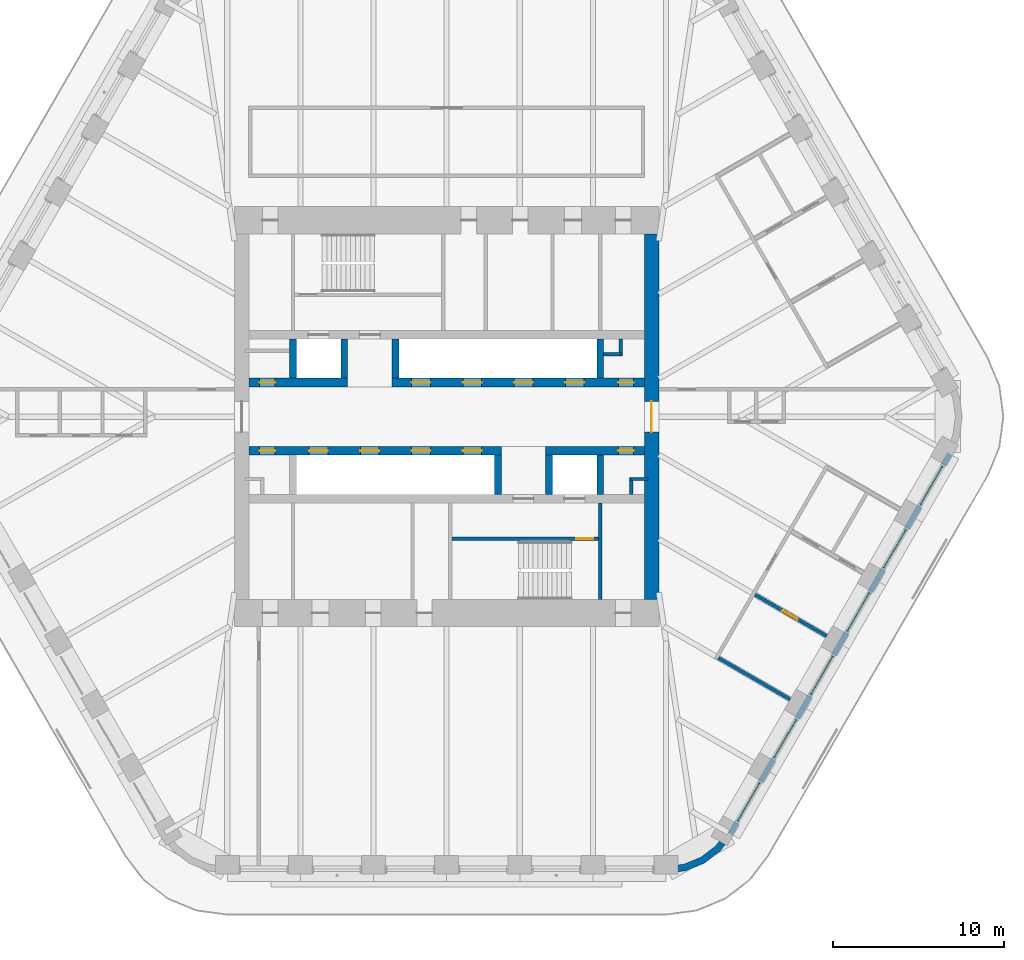
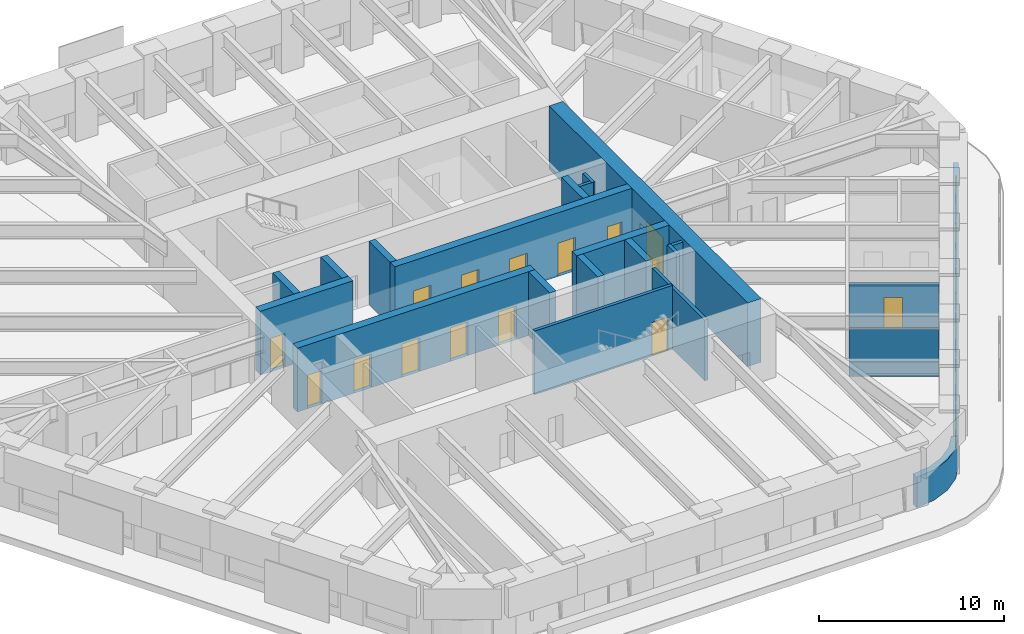
# One storey, part 14 of 18: 22 walls, 15 doors, 6 windows, 21 openings.
"""IFC4 building model written with IfcOpenShell, lengths in metres."""

from ifc_helpers import new_model, si_unit, direction, frame, frame_2d, origin, place, context, subcontext, project, spatial, polyline, rectangle, outline, extrude, material, layer, layer_set, type_object, element, fill, save


model = new_model("IFC4")

# Units and contexts
model_context = context("Model", 3, precision=1e-05, world=origin(), true_north=direction((0.0, 1.0)))
body_context = subcontext(model_context, "Body", "Model", "MODEL_VIEW")
ifc_project = project(units=[si_unit("LENGTHUNIT", "METRE"), si_unit("AREAUNIT", "SQUARE_METRE"), si_unit("VOLUMEUNIT", "CUBIC_METRE"), si_unit("PLANEANGLEUNIT", "RADIAN"), si_unit("MASSUNIT", "GRAM", prefix="KILO")], contexts=[model_context])

# Site, building, storey
site_placement = place(None, origin())
site = spatial("IfcSite", under=ifc_project, at=site_placement, CompositionType="ELEMENT")
building_placement = place(site_placement, origin())
building = spatial("IfcBuilding", under=site, at=building_placement, Name="Tarfa Lantern Tower", CompositionType="ELEMENT")
storey_placement = place(building_placement, frame((0.0, 0.0, 315.699951171875)))
storey = spatial("IfcBuildingStorey", under=building, at=storey_placement, Name="L71", CompositionType="ELEMENT", Elevation=315.699951171875)

# Wall, openings, windows
ifc_material_1 = material(Name="Limestone cladding on blockwork", Category="masonry")
ifc_layer_1 = layer(ifc_material_1, 0.300048828125)
ifc_layer_set_1 = layer_set([ifc_layer_1], Name="EW1 STONE-CLAD WALL 300")
wall_type_1 = type_object("IfcWallType", Name="EW1 STONE-CLAD WALL 300", PredefinedType="SOLIDWALL", material=ifc_layer_set_1)
wall_1_placement = place(storey_placement, frame((16.61328125, -24.425048828125, 0.0), z_axis=(0.0, 0.0, 1.0), x_axis=(0.499997191038, 0.866027025533, 0.0)))
wall_1 = element("IfcWall", 1, at=wall_1_placement, inside=storey, type_object=wall_type_1, Name="Stone wall SE", PredefinedType="SOLIDWALL", context=body_context, shape_type="SweptSolid", body=[
    extrude(rectangle(XDim=25.692138671875, YDim=0.300048828125, at=frame_2d((12.84619140625, 0.0))), origin(), (0.0, 0.0, 1.0), 2.0),
])
opening_1_placement = place(wall_1_placement, frame((0.865966796875, 0.0, 0.60009765625)))
opening_1 = element("IfcOpeningElement", 2, at=opening_1_placement, cuts=wall_1, Name="Opening W16", PredefinedType="OPENING", context=body_context, shape_type="SweptSolid", body=[
    extrude(rectangle(XDim=2.550048828125, YDim=1.14990234375, at=frame_2d((1.27490234375, 0.574951171875))), frame((0.0, 0.159912109375, 0.0), z_axis=(0.0, -1.0, 0.0), x_axis=(1.0, 0.0, 0.0)), (0.0, 0.0, 1.0), 0.320068359375),
])
opening_2_placement = place(wall_1_placement, frame((5.14794921875, 0.0, 0.60009765625)))
opening_2 = element("IfcOpeningElement", 3, at=opening_2_placement, cuts=wall_1, Name="Opening W16", PredefinedType="OPENING", context=body_context, shape_type="SweptSolid", body=[
    extrude(rectangle(XDim=2.550048828125, YDim=1.14990234375, at=frame_2d((1.27490234375, 0.574951171875))), frame((0.0, 0.159912109375, 0.0), z_axis=(0.0, -1.0, 0.0), x_axis=(1.0, 0.0, 0.0)), (0.0, 0.0, 1.0), 0.320068359375),
])
opening_3_placement = place(wall_1_placement, frame((9.429931640625, 0.0, 0.60009765625)))
opening_3 = element("IfcOpeningElement", 4, at=opening_3_placement, cuts=wall_1, Name="Opening W16", PredefinedType="OPENING", context=body_context, shape_type="SweptSolid", body=[
    extrude(rectangle(XDim=2.550048828125, YDim=1.14990234375, at=frame_2d((1.27490234375, 0.574951171875))), frame((0.0, 0.159912109375, 0.0), z_axis=(0.0, -1.0, 0.0), x_axis=(1.0, 0.0, 0.0)), (0.0, 0.0, 1.0), 0.320068359375),
])
opening_4_placement = place(wall_1_placement, frame((13.712158203125, 0.0, 0.60009765625)))
opening_4 = element("IfcOpeningElement", 5, at=opening_4_placement, cuts=wall_1, Name="Opening W16", PredefinedType="OPENING", context=body_context, shape_type="SweptSolid", body=[
    extrude(rectangle(XDim=2.550048828125, YDim=1.14990234375, at=frame_2d((1.27490234375, 0.574951171875))), frame((0.0, 0.159912109375, 0.0), z_axis=(0.0, -1.0, 0.0), x_axis=(1.0, 0.0, 0.0)), (0.0, 0.0, 1.0), 0.320068359375),
])
opening_5_placement = place(wall_1_placement, frame((17.994140625, 0.0, 0.60009765625)))
opening_5 = element("IfcOpeningElement", 6, at=opening_5_placement, cuts=wall_1, Name="Opening W16", PredefinedType="OPENING", context=body_context, shape_type="SweptSolid", body=[
    extrude(rectangle(XDim=2.550048828125, YDim=1.14990234375, at=frame_2d((1.27490234375, 0.574951171875))), frame((0.0, 0.159912109375, 0.0), z_axis=(0.0, -1.0, 0.0), x_axis=(1.0, 0.0, 0.0)), (0.0, 0.0, 1.0), 0.320068359375),
])
opening_6_placement = place(wall_1_placement, frame((22.276123046875, 0.0, 0.60009765625)))
opening_6 = element("IfcOpeningElement", 7, at=opening_6_placement, cuts=wall_1, Name="Opening W16", PredefinedType="OPENING", context=body_context, shape_type="SweptSolid", body=[
    extrude(rectangle(XDim=2.550048828125, YDim=1.14990234375, at=frame_2d((1.27490234375, 0.574951171875))), frame((0.0, 0.159912109375, 0.0), z_axis=(0.0, -1.0, 0.0), x_axis=(1.0, 0.0, 0.0)), (0.0, 0.0, 1.0), 0.320068359375),
])
ifc_material_2 = material(Name="Aluminium frame, double glazed", Category="aluminium")
window_type = type_object("IfcWindowType", Name="W16 FULL-HEIGHT GLAZING 2550x1150", PartitioningType="SINGLE_PANEL", PredefinedType="WINDOW", material=ifc_material_2)
window_1_placement = place(opening_1_placement, origin())
window_1 = element("IfcWindow", 8, at=window_1_placement, inside=storey, type_object=window_type, Name="Window SE 1", OverallHeight=1.14990234375, OverallWidth=2.550048828125, PartitioningType="SINGLE_PANEL", PredefinedType="WINDOW", context=body_context, shape_type="SweptSolid", body=[
    extrude(rectangle(XDim=2.550048828125, YDim=1.14990234375, at=frame_2d((1.27490234375, 0.574951171875))), frame((0.0, 0.030029296875, 0.0), z_axis=(0.0, -1.0, 0.0), x_axis=(1.0, 0.0, 0.0)), (0.0, 0.0, 1.0), 0.06005859375),
])
fill(opening_1, window_1)
window_2_placement = place(opening_2_placement, origin())
window_2 = element("IfcWindow", 9, at=window_2_placement, inside=storey, type_object=window_type, Name="Window SE 2", OverallHeight=1.14990234375, OverallWidth=2.550048828125, PartitioningType="SINGLE_PANEL", PredefinedType="WINDOW", context=body_context, shape_type="SweptSolid", body=[
    extrude(rectangle(XDim=2.550048828125, YDim=1.14990234375, at=frame_2d((1.27490234375, 0.574951171875))), frame((0.0, 0.030029296875, 0.0), z_axis=(0.0, -1.0, 0.0), x_axis=(1.0, 0.0, 0.0)), (0.0, 0.0, 1.0), 0.06005859375),
])
fill(opening_2, window_2)
window_3_placement = place(opening_3_placement, origin())
window_3 = element("IfcWindow", 10, at=window_3_placement, inside=storey, type_object=window_type, Name="Window SE 3", OverallHeight=1.14990234375, OverallWidth=2.550048828125, PartitioningType="SINGLE_PANEL", PredefinedType="WINDOW", context=body_context, shape_type="SweptSolid", body=[
    extrude(rectangle(XDim=2.550048828125, YDim=1.14990234375, at=frame_2d((1.27490234375, 0.574951171875))), frame((0.0, 0.030029296875, 0.0), z_axis=(0.0, -1.0, 0.0), x_axis=(1.0, 0.0, 0.0)), (0.0, 0.0, 1.0), 0.06005859375),
])
fill(opening_3, window_3)
window_4_placement = place(opening_4_placement, origin())
window_4 = element("IfcWindow", 11, at=window_4_placement, inside=storey, type_object=window_type, Name="Window SE 4", OverallHeight=1.14990234375, OverallWidth=2.550048828125, PartitioningType="SINGLE_PANEL", PredefinedType="WINDOW", context=body_context, shape_type="SweptSolid", body=[
    extrude(rectangle(XDim=2.550048828125, YDim=1.14990234375, at=frame_2d((1.27490234375, 0.574951171875))), frame((0.0, 0.030029296875, 0.0), z_axis=(0.0, -1.0, 0.0), x_axis=(1.0, 0.0, 0.0)), (0.0, 0.0, 1.0), 0.06005859375),
])
fill(opening_4, window_4)
window_5_placement = place(opening_5_placement, origin())
window_5 = element("IfcWindow", 12, at=window_5_placement, inside=storey, type_object=window_type, Name="Window SE 5", OverallHeight=1.14990234375, OverallWidth=2.550048828125, PartitioningType="SINGLE_PANEL", PredefinedType="WINDOW", context=body_context, shape_type="SweptSolid", body=[
    extrude(rectangle(XDim=2.550048828125, YDim=1.14990234375, at=frame_2d((1.27490234375, 0.574951171875))), frame((0.0, 0.030029296875, 0.0), z_axis=(0.0, -1.0, 0.0), x_axis=(1.0, 0.0, 0.0)), (0.0, 0.0, 1.0), 0.06005859375),
])
fill(opening_5, window_5)
window_6_placement = place(opening_6_placement, origin())
window_6 = element("IfcWindow", 13, at=window_6_placement, inside=storey, type_object=window_type, Name="Window SE 6", OverallHeight=1.14990234375, OverallWidth=2.550048828125, PartitioningType="SINGLE_PANEL", PredefinedType="WINDOW", context=body_context, shape_type="SweptSolid", body=[
    extrude(rectangle(XDim=2.550048828125, YDim=1.14990234375, at=frame_2d((1.27490234375, 0.574951171875))), frame((0.0, 0.030029296875, 0.0), z_axis=(0.0, -1.0, 0.0), x_axis=(1.0, 0.0, 0.0)), (0.0, 0.0, 1.0), 0.06005859375),
])
fill(opening_6, window_6)

# Walls
ifc_layer_2 = layer(ifc_material_1, 0.39990234375)
ifc_layer_set_2 = layer_set([ifc_layer_2], Name="EW2 CURVED STONE CORNER 400")
wall_type_2 = type_object("IfcWallType", Name="EW2 CURVED STONE CORNER 400", PredefinedType="SOLIDWALL", material=ifc_layer_set_2)
wall_2_placement = place(storey_placement, origin())
element("IfcWall", 14, at=wall_2_placement, inside=storey, type_object=wall_type_2, Name="Stone corner S-SE", PredefinedType="SOLIDWALL", context=body_context, shape_type="SweptSolid", body=[
    extrude(outline(polyline([(12.845947265625, -26.75), (14.0107421875, -26.5966796875), (15.095947265625, -26.147216796875), (16.028076171875, -25.431884765625), (16.7431640625, -24.5), (16.396728515625, -24.300048828125), (15.7451171875, -25.149169921875), (14.89599609375, -25.80078125), (13.9072265625, -26.210205078125), (12.845947265625, -26.35009765625), (12.845947265625, -26.75)])), origin(), (0.0, 0.0, 1.0), 2.0),
])
ifc_material_3 = material(Name="Concrete blockwork", Category="masonry")
ifc_layer_3 = layer(ifc_material_3, 0.199951171875)
ifc_layer_set_3 = layer_set([ifc_layer_3], Name="IW1 BLOCKWORK PARTITION 200 EI 120")
wall_type_3 = type_object("IfcWallType", Name="IW1 BLOCKWORK PARTITION 200 EI 120", PredefinedType="PARTITIONING", material=ifc_layer_set_3)
wall_3_placement = place(storey_placement, frame((9.0, -5.050048828125, 0.0), z_axis=(0.0, 0.0, 1.0), x_axis=(0.0, -1.0, 0.0)))
element("IfcWall", 15, at=wall_3_placement, inside=storey, type_object=wall_type_3, Name="Core partition", PredefinedType="PARTITIONING", context=body_context, shape_type="SweptSolid", body=[
    extrude(rectangle(XDim=5.64990234375, YDim=0.199951171875, at=frame_2d((2.824951171875, 0.0))), origin(), (0.0, 0.0, 1.0), 4.0),
])
for number, where, z_axis, x_axis, name in (
    (16, (9.199951171875, 3.64990234375, 0.0), (0.0, 0.0, 1.0), (1.0, 0.0, 0.0), "Core partition"),
    (17, (10.199951171875, 3.550048828125, 0.0), (0.0, 0.0, 1.0), (0.0, 1.0, 0.0), "Core partition"),
    (18, (11.800048828125, -3.64990234375, 0.0), (0.0, 0.0, 1.0), (-1.0, 0.0, 0.0), "Core partition"),
    (19, (10.800048828125, -3.550048828125, 0.0), (0.0, 0.0, 1.0), (0.0, -1.0, 0.0), "Core partition"),
):
    element("IfcWall", number, at=place(storey_placement, frame(where, z_axis=z_axis, x_axis=x_axis)), inside=storey, type_object=wall_type_3, Name=name, PredefinedType="PARTITIONING", context=body_context, shape_type="SweptSolid", body=[
        extrude(rectangle(XDim=1.0, YDim=0.199951171875, at=frame_2d((0.5, 0.0))), origin(), (0.0, 0.0, 1.0), 4.0),
    ])
ifc_material_4 = material(Name="Gypsum board on steel studs", Category="steel")
ifc_layer_4 = layer(ifc_material_4, 0.2099609375)
ifc_layer_set_4 = layer_set([ifc_layer_4], Name="IW2 ACOUSTIC PARTITION 200")
wall_type_4 = type_object("IfcWallType", Name="IW2 ACOUSTIC PARTITION 200", PredefinedType="PARTITIONING", material=ifc_layer_set_4)
wall_4_placement = place(storey_placement, frame((15.91552734375, -14.13330078125, 0.0), z_axis=(0.0, 0.0, 1.0), x_axis=(0.866032190624, -0.499988244665, 0.0)))
element("IfcWall", 20, at=wall_4_placement, inside=storey, type_object=wall_type_4, Name="Partition", PredefinedType="PARTITIONING", context=body_context, shape_type="SweptSolid", body=[
    extrude(rectangle(XDim=4.85009765625, YDim=0.199951171875, at=frame_2d((2.425048828125, 0.0))), origin(), (0.0, 0.0, 1.0), 3.08154296875),
])

# Wall, opening, door
wall_5_placement = place(storey_placement, frame((18.056640625, -10.425048828125, 0.0), z_axis=(0.0, 0.0, 1.0), x_axis=(0.866019606374, -0.500010041276, 0.0)))
wall_5 = element("IfcWall", 21, at=wall_5_placement, inside=storey, type_object=wall_type_4, Name="Partition", PredefinedType="PARTITIONING", context=body_context, shape_type="SweptSolid", body=[
    extrude(rectangle(XDim=4.85009765625, YDim=0.199951171875, at=frame_2d((2.425048828125, 0.0))), origin(), (0.0, 0.0, 1.0), 3.08154296875),
])
opening_7_placement = place(wall_5_placement, frame((1.875, 0.0, 0.0)))
opening_7 = element("IfcOpeningElement", 22, at=opening_7_placement, cuts=wall_5, Name="Opening D25", PredefinedType="OPENING", context=body_context, shape_type="SweptSolid", body=[
    extrude(rectangle(XDim=1.0, YDim=2.199951171875, at=frame_2d((0.5, 1.10009765625))), frame((0.0, 0.10986328125, 0.0), z_axis=(0.0, -1.0, 0.0), x_axis=(1.0, 0.0, 0.0)), (0.0, 0.0, 1.0), 0.219970703125),
])
ifc_material_5 = material(Name="Timber door", Category="wood")
door_type_1 = type_object("IfcDoorType", Name="DR1 ROOM DOOR 1000x2200", OperationType="SINGLE_SWING_LEFT", PredefinedType="DOOR", material=ifc_material_5)
door_1_placement = place(opening_7_placement, frame((1.0, 0.0, 0.0), z_axis=(0.0, 0.0, 1.0), x_axis=(-1.0, 0.0, 0.0)))
door_1 = element("IfcDoor", 23, at=door_1_placement, inside=storey, type_object=door_type_1, Name="Executive office door", OperationType="SINGLE_SWING_LEFT", OverallHeight=2.199951171875, OverallWidth=1.0, PredefinedType="DOOR", context=body_context, shape_type="SweptSolid", body=[
    extrude(rectangle(XDim=1.0, YDim=2.199951171875, at=frame_2d((0.5, 1.10009765625))), frame((0.0, 0.02490234375, 0.0), z_axis=(0.0, -1.0, 0.0), x_axis=(1.0, 0.0, 0.0)), (0.0, 0.0, 1.0), 0.050048828125),
])
fill(opening_7, door_1)

ifc_material_6 = material(Name="Concrete C80/95", Category="concrete")
ifc_layer_5 = layer(ifc_material_6, 0.199951171875)
ifc_layer_set_5 = layer_set([ifc_layer_5], Name="SW12 CORE WALL 200")
wall_type_5 = type_object("IfcWallType", Name="SW12 CORE WALL 200", PredefinedType="SHEAR", material=ifc_layer_set_5)
wall_6_placement = place(storey_placement, frame((8.89990234375, -7.14990234375, 0.0), z_axis=(0.0, 0.0, 1.0), x_axis=(-1.0, 0.0, 0.0)))
wall_6 = element("IfcWall", 24, at=wall_6_placement, inside=storey, type_object=wall_type_5, Name="Core wall stair partition S", PredefinedType="SHEAR", context=body_context, shape_type="SweptSolid", body=[
    extrude(rectangle(XDim=8.599853515625, YDim=0.199951171875, at=frame_2d((4.2998046875, 0.0))), origin(), (0.0, 0.0, 1.0), 4.199951171875),
])
opening_8_placement = place(wall_6_placement, frame((0.300048828125, 0.0, 0.0)))
opening_8 = element("IfcOpeningElement", 25, at=opening_8_placement, cuts=wall_6, Name="Opening D20", PredefinedType="OPENING", context=body_context, shape_type="SweptSolid", body=[
    extrude(rectangle(XDim=1.0, YDim=2.199951171875, at=frame_2d((0.5, 1.10009765625))), frame((0.0, 0.10986328125, 0.0), z_axis=(0.0, -1.0, 0.0), x_axis=(1.0, 0.0, 0.0)), (0.0, 0.0, 1.0), 0.219970703125),
])
ifc_material_7 = material(Name="Steel fire door", Category="steel")
door_type_2 = type_object("IfcDoorType", Name="DF2 STAIR DOOR 1000x2200", OperationType="SINGLE_SWING_LEFT", PredefinedType="DOOR", material=ifc_material_7)
door_2_placement = place(opening_8_placement, origin())
door_2 = element("IfcDoor", 26, at=door_2_placement, inside=storey, type_object=door_type_2, Name="Stair door", OperationType="SINGLE_SWING_RIGHT", OverallHeight=2.199951171875, OverallWidth=1.0, PredefinedType="DOOR", context=body_context, shape_type="SweptSolid", body=[
    extrude(rectangle(XDim=1.0, YDim=2.199951171875, at=frame_2d((0.5, 1.10009765625))), frame((0.0, 0.02490234375, 0.0), z_axis=(0.0, -1.0, 0.0), x_axis=(1.0, 0.0, 0.0)), (0.0, 0.0, 1.0), 0.050048828125),
])
fill(opening_8, door_2)

ifc_layer_6 = layer(ifc_material_6, 0.85009765625)
ifc_layer_set_6 = layer_set([ifc_layer_6], Name="SW3 CORE WALL 850")
wall_type_6 = type_object("IfcWallType", Name="SW3 CORE WALL 850", PredefinedType="SHEAR", material=ifc_layer_set_6)
wall_7_placement = place(storey_placement, frame((12.0, -10.699951171875, 0.0), z_axis=(0.0, 0.0, 1.0), x_axis=(0.0, 1.0, 0.0)))
wall_7 = element("IfcWall", 27, at=wall_7_placement, inside=storey, type_object=wall_type_6, Name="Core wall E", PredefinedType="SHEAR", context=body_context, shape_type="SweptSolid", body=[
    extrude(rectangle(XDim=21.39990234375, YDim=0.85009765625, at=frame_2d((10.699951171875, 0.0))), origin(), (0.0, 0.0, 1.0), 4.199951171875),
])
opening_9_placement = place(wall_7_placement, frame((9.800048828125, 0.0, 0.0)))
opening_9 = element("IfcOpeningElement", 28, at=opening_9_placement, cuts=wall_7, Name="Opening D07", PredefinedType="OPENING", context=body_context, shape_type="SweptSolid", body=[
    extrude(rectangle(XDim=1.800048828125, YDim=2.39990234375, at=frame_2d((0.89990234375, 1.199951171875))), frame((0.0, 0.43505859375, 0.0), z_axis=(0.0, -1.0, 0.0), x_axis=(1.0, 0.0, 0.0)), (0.0, 0.0, 1.0), 0.8701171875),
])
door_type_3 = type_object("IfcDoorType", Name="DL1 LOBBY DOOR 1800x2400", OperationType="DOUBLE_DOOR_SINGLE_SWING", PredefinedType="DOOR", material=ifc_material_7)
door_3_placement = place(opening_9_placement, frame((1.800048828125, 0.0, 0.0), z_axis=(0.0, 0.0, 1.0), x_axis=(-1.0, 0.0, 0.0)))
door_3 = element("IfcDoor", 29, at=door_3_placement, inside=storey, type_object=door_type_3, Name="Lift lobby door", OperationType="DOUBLE_DOOR_SINGLE_SWING", OverallHeight=2.39990234375, OverallWidth=1.800048828125, PredefinedType="DOOR", context=body_context, shape_type="SweptSolid", body=[
    extrude(rectangle(XDim=1.800048828125, YDim=2.39990234375, at=frame_2d((0.89990234375, 1.199951171875))), frame((0.0, 0.02490234375, 0.0), z_axis=(0.0, -1.0, 0.0), x_axis=(1.0, 0.0, 0.0)), (0.0, 0.0, 1.0), 0.050048828125),
])
fill(opening_9, door_3)

ifc_layer_7 = layer(ifc_material_6, 0.5)
ifc_layer_set_7 = layer_set([ifc_layer_7], Name="SW5 CORE WALL 500")
wall_type_7 = type_object("IfcWallType", Name="SW5 CORE WALL 500", PredefinedType="SHEAR", material=ifc_layer_set_7)
wall_8_placement = place(storey_placement, frame((-11.574951171875, 2.0, 0.0), z_axis=(0.0, 0.0, 1.0), x_axis=(1.0, 0.0, 0.0)))
wall_8 = element("IfcWall", 30, at=wall_8_placement, inside=storey, type_object=wall_type_7, Name="Core wall lobby west N", PredefinedType="SHEAR", context=body_context, shape_type="SweptSolid", body=[
    extrude(rectangle(XDim=5.77490234375, YDim=0.5, at=frame_2d((2.887451171875, 0.0))), origin(), (0.0, 0.0, 1.0), 4.199951171875),
])
opening_10_placement = place(wall_8_placement, frame((0.625, 0.0, 0.0)))
opening_10 = element("IfcOpeningElement", 31, at=opening_10_placement, cuts=wall_8, Name="Opening D11", PredefinedType="OPENING", context=body_context, shape_type="SweptSolid", body=[
    extrude(rectangle(XDim=0.89990234375, YDim=2.199951171875, at=frame_2d((0.449951171875, 1.10009765625))), frame((0.0, 0.260009765625, 0.0), z_axis=(0.0, -1.0, 0.0), x_axis=(1.0, 0.0, 0.0)), (0.0, 0.0, 1.0), 0.52001953125),
])
door_type_4 = type_object("IfcDoorType", Name="DF6 SERVICE ROOM DOOR 900x2200", OperationType="SINGLE_SWING_LEFT", PredefinedType="DOOR", material=ifc_material_7)
door_4_placement = place(opening_10_placement, origin())
door_4 = element("IfcDoor", 32, at=door_4_placement, inside=storey, type_object=door_type_4, Name="Service room door", OperationType="SINGLE_SWING_RIGHT", OverallHeight=2.199951171875, OverallWidth=0.89990234375, PredefinedType="DOOR", context=body_context, shape_type="SweptSolid", body=[
    extrude(rectangle(XDim=0.89990234375, YDim=2.199951171875, at=frame_2d((0.449951171875, 1.10009765625))), frame((0.0, 0.02490234375, 0.0), z_axis=(0.0, -1.0, 0.0), x_axis=(1.0, 0.0, 0.0)), (0.0, 0.0, 1.0), 0.050048828125),
])
fill(opening_10, door_4)

# Wall, openings, doors
wall_9_placement = place(storey_placement, frame((-3.199951171875, 2.0, 0.0), z_axis=(0.0, 0.0, 1.0), x_axis=(1.0, 0.0, 0.0)))
wall_9 = element("IfcWall", 33, at=wall_9_placement, inside=storey, type_object=wall_type_7, Name="Core wall lobby east N", PredefinedType="SHEAR", context=body_context, shape_type="SweptSolid", body=[
    extrude(rectangle(XDim=14.77490234375, YDim=0.5, at=frame_2d((7.387451171875, 0.0))), origin(), (0.0, 0.0, 1.0), 4.199951171875),
])
opening_11_placement = place(wall_9_placement, frame((13.25, 0.0, 0.0)))
opening_11 = element("IfcOpeningElement", 34, at=opening_11_placement, cuts=wall_9, Name="Opening D09", PredefinedType="OPENING", context=body_context, shape_type="SweptSolid", body=[
    extrude(rectangle(XDim=0.89990234375, YDim=2.199951171875, at=frame_2d((0.449951171875, 1.10009765625))), frame((0.0, 0.260009765625, 0.0), z_axis=(0.0, -1.0, 0.0), x_axis=(1.0, 0.0, 0.0)), (0.0, 0.0, 1.0), 0.52001953125),
])
opening_12_placement = place(wall_9_placement, frame((1.14990234375, 0.0, 0.0)))
opening_12 = element("IfcOpeningElement", 35, at=opening_12_placement, cuts=wall_9, Name="Opening LD03", PredefinedType="OPENING", context=body_context, shape_type="SweptSolid", body=[
    extrude(rectangle(XDim=1.10009765625, YDim=2.199951171875, at=frame_2d((0.550048828125, 1.10009765625))), frame((0.0, 0.260009765625, 0.0), z_axis=(0.0, -1.0, 0.0), x_axis=(1.0, 0.0, 0.0)), (0.0, 0.0, 1.0), 0.52001953125),
])
opening_13_placement = place(wall_9_placement, frame((4.14990234375, 0.0, 0.0)))
opening_13 = element("IfcOpeningElement", 36, at=opening_13_placement, cuts=wall_9, Name="Opening LD04", PredefinedType="OPENING", context=body_context, shape_type="SweptSolid", body=[
    extrude(rectangle(XDim=1.10009765625, YDim=2.199951171875, at=frame_2d((0.550048828125, 1.10009765625))), frame((0.0, 0.260009765625, 0.0), z_axis=(0.0, -1.0, 0.0), x_axis=(1.0, 0.0, 0.0)), (0.0, 0.0, 1.0), 0.52001953125),
])
opening_14_placement = place(wall_9_placement, frame((7.14990234375, 0.0, 0.0)))
opening_14 = element("IfcOpeningElement", 37, at=opening_14_placement, cuts=wall_9, Name="Opening LD05", PredefinedType="OPENING", context=body_context, shape_type="SweptSolid", body=[
    extrude(rectangle(XDim=1.10009765625, YDim=2.199951171875, at=frame_2d((0.550048828125, 1.10009765625))), frame((0.0, 0.260009765625, 0.0), z_axis=(0.0, -1.0, 0.0), x_axis=(1.0, 0.0, 0.0)), (0.0, 0.0, 1.0), 0.52001953125),
])
opening_15_placement = place(wall_9_placement, frame((10.14990234375, 0.0, 0.0)))
opening_15 = element("IfcOpeningElement", 38, at=opening_15_placement, cuts=wall_9, Name="Opening LD06", PredefinedType="OPENING", context=body_context, shape_type="SweptSolid", body=[
    extrude(rectangle(XDim=1.10009765625, YDim=2.199951171875, at=frame_2d((0.550048828125, 1.10009765625))), frame((0.0, 0.260009765625, 0.0), z_axis=(0.0, -1.0, 0.0), x_axis=(1.0, 0.0, 0.0)), (0.0, 0.0, 1.0), 0.52001953125),
])
door_5_placement = place(opening_11_placement, origin())
door_5 = element("IfcDoor", 39, at=door_5_placement, inside=storey, type_object=door_type_4, Name="Service room door", OperationType="SINGLE_SWING_LEFT", OverallHeight=2.199951171875, OverallWidth=0.89990234375, PredefinedType="DOOR", context=body_context, shape_type="SweptSolid", body=[
    extrude(rectangle(XDim=0.89990234375, YDim=2.199951171875, at=frame_2d((0.449951171875, 1.10009765625))), frame((0.0, 0.02490234375, 0.0), z_axis=(0.0, -1.0, 0.0), x_axis=(1.0, 0.0, 0.0)), (0.0, 0.0, 1.0), 0.050048828125),
])
fill(opening_11, door_5)
ifc_material_8 = material(Name="Stainless steel lift door", Category="steel")
door_type_5 = type_object("IfcDoorType", Name="LD2 LIFT LANDING DOOR 1100x2200", OperationType="SLIDING_TO_LEFT", PredefinedType="DOOR", material=ifc_material_8)
door_6_placement = place(opening_12_placement, frame((1.10009765625, 0.0, 0.0), z_axis=(0.0, 0.0, 1.0), x_axis=(-1.0, 0.0, 0.0)))
door_6 = element("IfcDoor", 40, at=door_6_placement, inside=storey, type_object=door_type_5, Name="Landing door PD1", OperationType="SLIDING_TO_LEFT", OverallHeight=2.199951171875, OverallWidth=1.10009765625, PredefinedType="DOOR", context=body_context, shape_type="SweptSolid", body=[
    extrude(rectangle(XDim=1.10009765625, YDim=2.199951171875, at=frame_2d((0.550048828125, 1.10009765625))), frame((0.0, 0.02490234375, 0.0), z_axis=(0.0, -1.0, 0.0), x_axis=(1.0, 0.0, 0.0)), (0.0, 0.0, 1.0), 0.050048828125),
])
fill(opening_12, door_6)
door_7_placement = place(opening_13_placement, frame((1.10009765625, 0.0, 0.0), z_axis=(0.0, 0.0, 1.0), x_axis=(-1.0, 0.0, 0.0)))
door_7 = element("IfcDoor", 41, at=door_7_placement, inside=storey, type_object=door_type_5, Name="Landing door PD2", OperationType="SLIDING_TO_LEFT", OverallHeight=2.199951171875, OverallWidth=1.10009765625, PredefinedType="DOOR", context=body_context, shape_type="SweptSolid", body=[
    extrude(rectangle(XDim=1.10009765625, YDim=2.199951171875, at=frame_2d((0.550048828125, 1.10009765625))), frame((0.0, 0.02490234375, 0.0), z_axis=(0.0, -1.0, 0.0), x_axis=(1.0, 0.0, 0.0)), (0.0, 0.0, 1.0), 0.050048828125),
])
fill(opening_13, door_7)
door_8_placement = place(opening_14_placement, frame((1.10009765625, 0.0, 0.0), z_axis=(0.0, 0.0, 1.0), x_axis=(-1.0, 0.0, 0.0)))
door_8 = element("IfcDoor", 42, at=door_8_placement, inside=storey, type_object=door_type_5, Name="Landing door PD3", OperationType="SLIDING_TO_LEFT", OverallHeight=2.199951171875, OverallWidth=1.10009765625, PredefinedType="DOOR", context=body_context, shape_type="SweptSolid", body=[
    extrude(rectangle(XDim=1.10009765625, YDim=2.199951171875, at=frame_2d((0.550048828125, 1.10009765625))), frame((0.0, 0.02490234375, 0.0), z_axis=(0.0, -1.0, 0.0), x_axis=(1.0, 0.0, 0.0)), (0.0, 0.0, 1.0), 0.050048828125),
])
fill(opening_14, door_8)
door_9_placement = place(opening_15_placement, frame((1.10009765625, 0.0, 0.0), z_axis=(0.0, 0.0, 1.0), x_axis=(-1.0, 0.0, 0.0)))
door_9 = element("IfcDoor", 43, at=door_9_placement, inside=storey, type_object=door_type_5, Name="Landing door PD4", OperationType="SLIDING_TO_LEFT", OverallHeight=2.199951171875, OverallWidth=1.10009765625, PredefinedType="DOOR", context=body_context, shape_type="SweptSolid", body=[
    extrude(rectangle(XDim=1.10009765625, YDim=2.199951171875, at=frame_2d((0.550048828125, 1.10009765625))), frame((0.0, 0.02490234375, 0.0), z_axis=(0.0, -1.0, 0.0), x_axis=(1.0, 0.0, 0.0)), (0.0, 0.0, 1.0), 0.050048828125),
])
fill(opening_15, door_9)

# Wall, opening, door
wall_10_placement = place(storey_placement, frame((11.574951171875, -2.0, 0.0), z_axis=(0.0, 0.0, 1.0), x_axis=(-1.0, 0.0, 0.0)))
wall_10 = element("IfcWall", 44, at=wall_10_placement, inside=storey, type_object=wall_type_7, Name="Core wall lobby west S", PredefinedType="SHEAR", context=body_context, shape_type="SweptSolid", body=[
    extrude(rectangle(XDim=5.77490234375, YDim=0.5, at=frame_2d((2.887451171875, 0.0))), origin(), (0.0, 0.0, 1.0), 4.199951171875),
])
opening_16_placement = place(wall_10_placement, frame((0.625, 0.0, 0.0)))
opening_16 = element("IfcOpeningElement", 45, at=opening_16_placement, cuts=wall_10, Name="Opening D12", PredefinedType="OPENING", context=body_context, shape_type="SweptSolid", body=[
    extrude(rectangle(XDim=0.89990234375, YDim=2.199951171875, at=frame_2d((0.449951171875, 1.10009765625))), frame((0.0, 0.260009765625, 0.0), z_axis=(0.0, -1.0, 0.0), x_axis=(1.0, 0.0, 0.0)), (0.0, 0.0, 1.0), 0.52001953125),
])
door_10_placement = place(opening_16_placement, origin())
door_10 = element("IfcDoor", 46, at=door_10_placement, inside=storey, type_object=door_type_4, Name="Service room door", OperationType="SINGLE_SWING_RIGHT", OverallHeight=2.199951171875, OverallWidth=0.89990234375, PredefinedType="DOOR", context=body_context, shape_type="SweptSolid", body=[
    extrude(rectangle(XDim=0.89990234375, YDim=2.199951171875, at=frame_2d((0.449951171875, 1.10009765625))), frame((0.0, 0.02490234375, 0.0), z_axis=(0.0, -1.0, 0.0), x_axis=(1.0, 0.0, 0.0)), (0.0, 0.0, 1.0), 0.050048828125),
])
fill(opening_16, door_10)

# Wall, openings, doors
wall_11_placement = place(storey_placement, frame((3.199951171875, -2.0, 0.0), z_axis=(0.0, 0.0, 1.0), x_axis=(-1.0, 0.0, 0.0)))
wall_11 = element("IfcWall", 47, at=wall_11_placement, inside=storey, type_object=wall_type_7, Name="Core wall lobby east S", PredefinedType="SHEAR", context=body_context, shape_type="SweptSolid", body=[
    extrude(rectangle(XDim=14.77490234375, YDim=0.5, at=frame_2d((7.387451171875, 0.0))), origin(), (0.0, 0.0, 1.0), 4.199951171875),
])
opening_17_placement = place(wall_11_placement, frame((13.25, 0.0, 0.0)))
opening_17 = element("IfcOpeningElement", 48, at=opening_17_placement, cuts=wall_11, Name="Opening D10", PredefinedType="OPENING", context=body_context, shape_type="SweptSolid", body=[
    extrude(rectangle(XDim=0.89990234375, YDim=2.199951171875, at=frame_2d((0.449951171875, 1.10009765625))), frame((0.0, 0.260009765625, 0.0), z_axis=(0.0, -1.0, 0.0), x_axis=(1.0, 0.0, 0.0)), (0.0, 0.0, 1.0), 0.52001953125),
])
opening_18_placement = place(wall_11_placement, frame((1.14990234375, 0.0, 0.0)))
opening_18 = element("IfcOpeningElement", 49, at=opening_18_placement, cuts=wall_11, Name="Opening LD07", PredefinedType="OPENING", context=body_context, shape_type="SweptSolid", body=[
    extrude(rectangle(XDim=1.10009765625, YDim=2.199951171875, at=frame_2d((0.550048828125, 1.10009765625))), frame((0.0, 0.260009765625, 0.0), z_axis=(0.0, -1.0, 0.0), x_axis=(1.0, 0.0, 0.0)), (0.0, 0.0, 1.0), 0.52001953125),
])
opening_19_placement = place(wall_11_placement, frame((4.14990234375, 0.0, 0.0)))
opening_19 = element("IfcOpeningElement", 50, at=opening_19_placement, cuts=wall_11, Name="Opening LD08", PredefinedType="OPENING", context=body_context, shape_type="SweptSolid", body=[
    extrude(rectangle(XDim=1.10009765625, YDim=2.199951171875, at=frame_2d((0.550048828125, 1.10009765625))), frame((0.0, 0.260009765625, 0.0), z_axis=(0.0, -1.0, 0.0), x_axis=(1.0, 0.0, 0.0)), (0.0, 0.0, 1.0), 0.52001953125),
])
opening_20_placement = place(wall_11_placement, frame((7.14990234375, 0.0, 0.0)))
opening_20 = element("IfcOpeningElement", 51, at=opening_20_placement, cuts=wall_11, Name="Opening LD09", PredefinedType="OPENING", context=body_context, shape_type="SweptSolid", body=[
    extrude(rectangle(XDim=1.10009765625, YDim=2.199951171875, at=frame_2d((0.550048828125, 1.10009765625))), frame((0.0, 0.260009765625, 0.0), z_axis=(0.0, -1.0, 0.0), x_axis=(1.0, 0.0, 0.0)), (0.0, 0.0, 1.0), 0.52001953125),
])
opening_21_placement = place(wall_11_placement, frame((10.14990234375, 0.0, 0.0)))
opening_21 = element("IfcOpeningElement", 52, at=opening_21_placement, cuts=wall_11, Name="Opening LD10", PredefinedType="OPENING", context=body_context, shape_type="SweptSolid", body=[
    extrude(rectangle(XDim=1.10009765625, YDim=2.199951171875, at=frame_2d((0.550048828125, 1.10009765625))), frame((0.0, 0.260009765625, 0.0), z_axis=(0.0, -1.0, 0.0), x_axis=(1.0, 0.0, 0.0)), (0.0, 0.0, 1.0), 0.52001953125),
])
door_11_placement = place(opening_17_placement, origin())
door_11 = element("IfcDoor", 53, at=door_11_placement, inside=storey, type_object=door_type_4, Name="Service room door", OperationType="SINGLE_SWING_LEFT", OverallHeight=2.199951171875, OverallWidth=0.89990234375, PredefinedType="DOOR", context=body_context, shape_type="SweptSolid", body=[
    extrude(rectangle(XDim=0.89990234375, YDim=2.199951171875, at=frame_2d((0.449951171875, 1.10009765625))), frame((0.0, 0.02490234375, 0.0), z_axis=(0.0, -1.0, 0.0), x_axis=(1.0, 0.0, 0.0)), (0.0, 0.0, 1.0), 0.050048828125),
])
fill(opening_17, door_11)
door_12_placement = place(opening_18_placement, frame((1.10009765625, 0.0, 0.0), z_axis=(0.0, 0.0, 1.0), x_axis=(-1.0, 0.0, 0.0)))
door_12 = element("IfcDoor", 54, at=door_12_placement, inside=storey, type_object=door_type_5, Name="Landing door PD5", OperationType="SLIDING_TO_LEFT", OverallHeight=2.199951171875, OverallWidth=1.10009765625, PredefinedType="DOOR", context=body_context, shape_type="SweptSolid", body=[
    extrude(rectangle(XDim=1.10009765625, YDim=2.199951171875, at=frame_2d((0.550048828125, 1.10009765625))), frame((0.0, 0.02490234375, 0.0), z_axis=(0.0, -1.0, 0.0), x_axis=(1.0, 0.0, 0.0)), (0.0, 0.0, 1.0), 0.050048828125),
])
fill(opening_18, door_12)
door_13_placement = place(opening_19_placement, frame((1.10009765625, 0.0, 0.0), z_axis=(0.0, 0.0, 1.0), x_axis=(-1.0, 0.0, 0.0)))
door_13 = element("IfcDoor", 55, at=door_13_placement, inside=storey, type_object=door_type_5, Name="Landing door PD6", OperationType="SLIDING_TO_LEFT", OverallHeight=2.199951171875, OverallWidth=1.10009765625, PredefinedType="DOOR", context=body_context, shape_type="SweptSolid", body=[
    extrude(rectangle(XDim=1.10009765625, YDim=2.199951171875, at=frame_2d((0.550048828125, 1.10009765625))), frame((0.0, 0.02490234375, 0.0), z_axis=(0.0, -1.0, 0.0), x_axis=(1.0, 0.0, 0.0)), (0.0, 0.0, 1.0), 0.050048828125),
])
fill(opening_19, door_13)
door_14_placement = place(opening_20_placement, frame((1.10009765625, 0.0, 0.0), z_axis=(0.0, 0.0, 1.0), x_axis=(-1.0, 0.0, 0.0)))
door_14 = element("IfcDoor", 56, at=door_14_placement, inside=storey, type_object=door_type_5, Name="Landing door PD7", OperationType="SLIDING_TO_LEFT", OverallHeight=2.199951171875, OverallWidth=1.10009765625, PredefinedType="DOOR", context=body_context, shape_type="SweptSolid", body=[
    extrude(rectangle(XDim=1.10009765625, YDim=2.199951171875, at=frame_2d((0.550048828125, 1.10009765625))), frame((0.0, 0.02490234375, 0.0), z_axis=(0.0, -1.0, 0.0), x_axis=(1.0, 0.0, 0.0)), (0.0, 0.0, 1.0), 0.050048828125),
])
fill(opening_20, door_14)
door_15_placement = place(opening_21_placement, frame((1.10009765625, 0.0, 0.0), z_axis=(0.0, 0.0, 1.0), x_axis=(-1.0, 0.0, 0.0)))
door_15 = element("IfcDoor", 57, at=door_15_placement, inside=storey, type_object=door_type_5, Name="Landing door PD8", OperationType="SLIDING_TO_LEFT", OverallHeight=2.199951171875, OverallWidth=1.10009765625, PredefinedType="DOOR", context=body_context, shape_type="SweptSolid", body=[
    extrude(rectangle(XDim=1.10009765625, YDim=2.199951171875, at=frame_2d((0.550048828125, 1.10009765625))), frame((0.0, 0.02490234375, 0.0), z_axis=(0.0, -1.0, 0.0), x_axis=(1.0, 0.0, 0.0)), (0.0, 0.0, 1.0), 0.050048828125),
])
fill(opening_21, door_15)

# Walls
ifc_layer_8 = layer(ifc_material_6, 0.39990234375)
ifc_layer_set_8 = layer_set([ifc_layer_8], Name="SW6 CORE WALL 400")
wall_type_8 = type_object("IfcWallType", Name="SW6 CORE WALL 400", PredefinedType="SHEAR", material=ifc_layer_set_8)
for number, where, z_axis, x_axis, name in (
    (58, (-9.0, 2.25, 0.0), (0.0, 0.0, 1.0), (0.0, 1.0, 0.0), "Core wall divider N"),
    (59, (-6.0, 2.25, 0.0), (0.0, 0.0, 1.0), (0.0, 1.0, 0.0), "Core wall divider N"),
    (60, (-3.0, 2.25, 0.0), (0.0, 0.0, 1.0), (0.0, 1.0, 0.0), "Core wall divider N"),
    (61, (9.0, 2.25, 0.0), (0.0, 0.0, 1.0), (0.0, 1.0, 0.0), "Core wall divider N"),
    (62, (9.0, -2.25, 0.0), (0.0, 0.0, 1.0), (0.0, -1.0, 0.0), "Core wall divider S"),
    (63, (6.0, -2.25, 0.0), (0.0, 0.0, 1.0), (0.0, -1.0, 0.0), "Core wall divider S"),
    (64, (3.0, -2.25, 0.0), (0.0, 0.0, 1.0), (0.0, -1.0, 0.0), "Core wall divider S"),
):
    element("IfcWall", number, at=place(storey_placement, frame(where, z_axis=z_axis, x_axis=x_axis)), inside=storey, type_object=wall_type_8, Name=name, PredefinedType="SHEAR", context=body_context, shape_type="SweptSolid", body=[
        extrude(rectangle(XDim=2.300048828125, YDim=0.39990234375, at=frame_2d((1.14990234375, 0.0))), origin(), (0.0, 0.0, 1.0), 4.199951171875),
    ])

save(model, "model.ifc")
